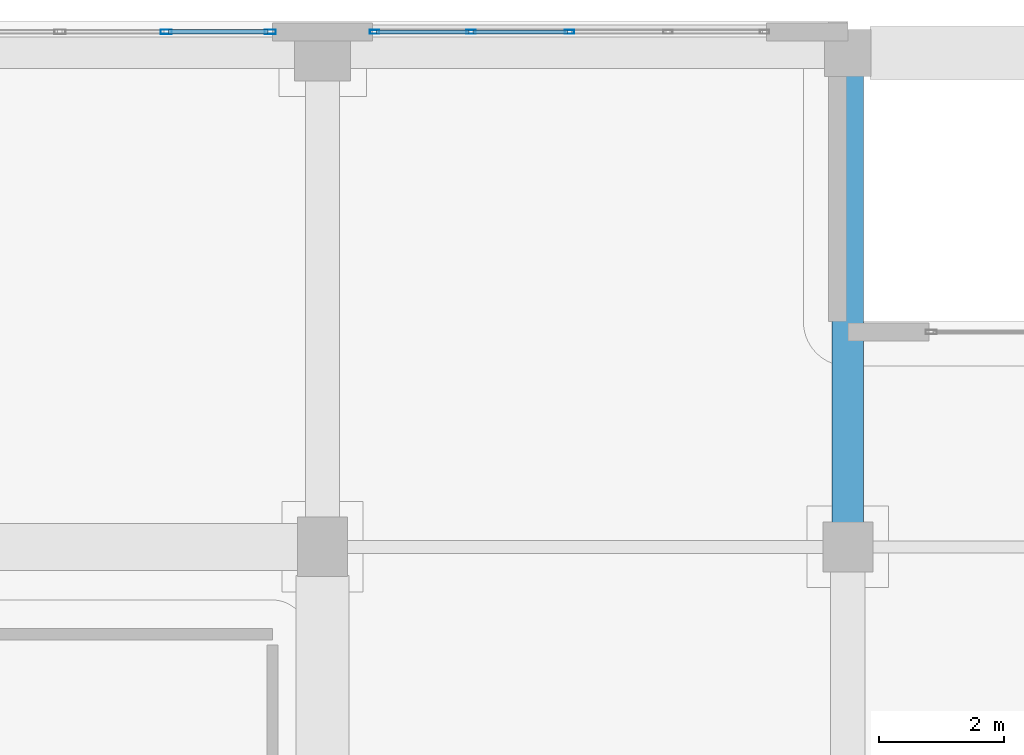
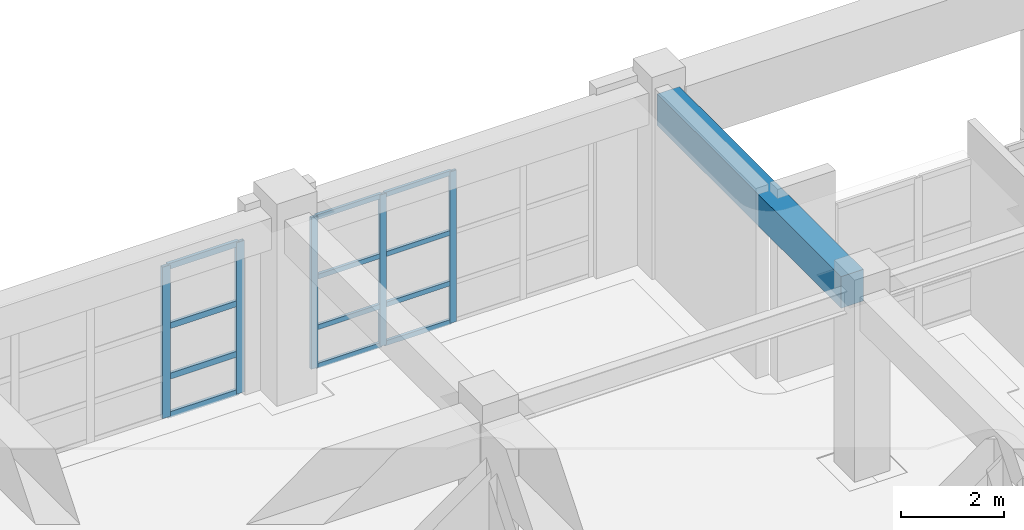
# One storey, part 65 of 123: 17 members, 1 beam, 2 elements without a shape of their own.
"""IFC4 building model written with IfcOpenShell, lengths in metres."""

from ifc_helpers import new_model, si_unit, direction, frame, origin, origin_2d, place, context, subcontext, project, spatial, rectangle, hollow_rectangle, extrude, material, layer, layer_set, material_profile, profile_set, type_object, element, aggregate, save


model = new_model("IFC4")

# Units and contexts
model_context = context("Model", 3, precision=1e-05, world=origin(), true_north=direction((0.0, 1.0)))
body_context = subcontext(model_context, "Body", "Model", "MODEL_VIEW")
ifc_project = project(units=[si_unit("LENGTHUNIT", "METRE"), si_unit("AREAUNIT", "SQUARE_METRE"), si_unit("VOLUMEUNIT", "CUBIC_METRE"), si_unit("PLANEANGLEUNIT", "RADIAN"), si_unit("MASSUNIT", "GRAM", prefix="KILO")], contexts=[model_context])

# Site, building, storey
site_placement = place(None, origin())
site = spatial("IfcSite", under=ifc_project, at=site_placement, CompositionType="ELEMENT")
building_placement = place(site_placement, origin())
building = spatial("IfcBuilding", under=site, at=building_placement, Name="Quendrovan Civic Courthouse", CompositionType="ELEMENT")
storey_placement = place(building_placement, frame((0.0, 0.0, 5.39990234375)))
storey = spatial("IfcBuildingStorey", under=building, at=storey_placement, Name="L02", CompositionType="ELEMENT", Elevation=5.39990234375)

# Beam
ifc_material_1 = material(Name="Concrete C40/50", Category="concrete")
ifc_material_profile_1 = material_profile(ifc_material_1, rectangle(XDim=0.5, YDim=0.75, at=origin_2d()), Name="RC-BM-500x750")
ifc_profile_set_1 = profile_set([ifc_material_profile_1], Name="Concrete C40/50")
beam_type = type_object("IfcBeamType", Name="BM-RC750", PredefinedType="SPANDREL", material=ifc_profile_set_1)
beam_placement = place(storey_placement, frame((92.39990234375, 102.3798828125, 3.985107421875), z_axis=(0.0, 1.0, 0.0), x_axis=(-1.0, 0.0, 0.0)))
element("IfcBeam", 1, at=beam_placement, inside=storey, type_object=beam_type, Name="L02 Girder Y0682", PredefinedType="SPANDREL", context=body_context, shape_type="SweptSolid", body=[
    extrude(rectangle(XDim=0.5, YDim=0.75, at=origin_2d()), origin(), (0.0, 0.0, 1.0), 7.1650390625),
])

# Curtain wall, members
ifc_material_2 = material(Name="Bronze anodised aluminium and low-E glass", Category="aluminium")
ifc_layer_1 = layer(ifc_material_2, 0.179931640625, Name="Bronze anodised aluminium and low-E glass")
ifc_layer_set_1 = layer_set([ifc_layer_1], Name="Bronze anodised aluminium and low-E glass")
curtain_wall_type_1 = type_object("IfcCurtainWallType", Name="CW-U68x36", PredefinedType="USERDEFINED", material=ifc_layer_set_1)
curtain_wall_1_placement = place(storey_placement, origin())
curtain_wall_1 = element("IfcCurtainWall", 2, at=curtain_wall_1_placement, inside=storey, type_object=curtain_wall_type_1, Name="L02 Unitised Hurricane Curtain Wall CW-086", ObjectType="UNITISED CURTAIN WALL", PredefinedType="USERDEFINED")
ifc_material_3 = material(Name="Bronze anodised aluminium", Category="aluminium")
ifc_material_profile_2 = material_profile(ifc_material_3, hollow_rectangle(XDim=0.070068359375, YDim=0.179931640625, WallThickness=0.00390625, at=origin_2d()), Name="CW-MULL-70x180")
ifc_profile_set_2 = profile_set([ifc_material_profile_2], Name="Bronze anodised aluminium")
member_type_1 = type_object("IfcMemberType", Name="CW-MULL-A", PredefinedType="MULLION", material=ifc_profile_set_2)
member_1_placement = place(storey_placement, frame((81.5, 110.235107421875, 0.0), z_axis=(0.0, 0.0, 1.0), x_axis=(0.0, 1.0, 0.0)))
member_1 = element("IfcMember", 3, at=member_1_placement, type_object=member_type_1, Name="CW-086 mullion 4", PredefinedType="MULLION", context=body_context, shape_type="SweptSolid", body=[
    extrude(hollow_rectangle(XDim=0.070068359375, YDim=0.179931640625, WallThickness=0.00390625, at=origin_2d()), origin(), (0.0, 0.0, 1.0), 3.60009765625),
])
member_2_placement = place(storey_placement, frame((83.1650390625, 110.235107421875, 0.0), z_axis=(0.0, 0.0, 1.0), x_axis=(0.0, 1.0, 0.0)))
member_2 = element("IfcMember", 4, at=member_2_placement, type_object=member_type_1, Name="CW-086 mullion 5", PredefinedType="MULLION", context=body_context, shape_type="SweptSolid", body=[
    extrude(hollow_rectangle(XDim=0.070068359375, YDim=0.179931640625, WallThickness=0.00390625, at=origin_2d()), origin(), (0.0, 0.0, 1.0), 3.60009765625),
])

ifc_layer_2 = layer(ifc_material_2, 0.179931640625, Name="Bronze anodised aluminium and low-E glass")
ifc_layer_set_2 = layer_set([ifc_layer_2], Name="Bronze anodised aluminium and low-E glass")
curtain_wall_type_2 = type_object("IfcCurtainWallType", Name="CW-U63x36", PredefinedType="USERDEFINED", material=ifc_layer_set_2)
curtain_wall_2_placement = place(storey_placement, origin())
curtain_wall_2 = element("IfcCurtainWall", 5, at=curtain_wall_2_placement, inside=storey, type_object=curtain_wall_type_2, Name="L02 Unitised Hurricane Curtain Wall CW-087", ObjectType="UNITISED CURTAIN WALL", PredefinedType="USERDEFINED")
ifc_material_profile_3 = material_profile(ifc_material_3, hollow_rectangle(XDim=0.06494140625, YDim=0.14990234375, WallThickness=0.00390625, at=origin_2d()), Name="CW-MULL-65x150")
ifc_profile_set_3 = profile_set([ifc_material_profile_3], Name="Bronze anodised aluminium")
member_type_2 = type_object("IfcMemberType", Name="CW-MULL-B", PredefinedType="MULLION", material=ifc_profile_set_3)
member_3_placement = place(storey_placement, frame((84.83251953125, 110.235107421875, 0.0), z_axis=(0.0, 0.0, 1.0), x_axis=(0.0, 1.0, 0.0)))
member_3 = element("IfcMember", 6, at=member_3_placement, type_object=member_type_2, Name="CW-087 mullion 1", PredefinedType="MULLION", context=body_context, shape_type="SweptSolid", body=[
    extrude(hollow_rectangle(XDim=0.06494140625, YDim=0.14990234375, WallThickness=0.00390625, at=origin_2d()), origin(), (0.0, 0.0, 1.0), 3.60009765625),
])
member_4_placement = place(storey_placement, frame((86.375, 110.235107421875, 0.0), z_axis=(0.0, 0.0, 1.0), x_axis=(0.0, 1.0, 0.0)))
member_4 = element("IfcMember", 7, at=member_4_placement, type_object=member_type_2, Name="CW-087 mullion 2", PredefinedType="MULLION", context=body_context, shape_type="SweptSolid", body=[
    extrude(hollow_rectangle(XDim=0.06494140625, YDim=0.14990234375, WallThickness=0.00390625, at=origin_2d()), origin(), (0.0, 0.0, 1.0), 3.60009765625),
])
member_5_placement = place(storey_placement, frame((87.949951171875, 110.235107421875, 0.0), z_axis=(0.0, 0.0, 1.0), x_axis=(0.0, 1.0, 0.0)))
member_5 = element("IfcMember", 8, at=member_5_placement, type_object=member_type_2, Name="CW-087 mullion 3", PredefinedType="MULLION", context=body_context, shape_type="SweptSolid", body=[
    extrude(hollow_rectangle(XDim=0.06494140625, YDim=0.14990234375, WallThickness=0.00390625, at=origin_2d()), origin(), (0.0, 0.0, 1.0), 3.60009765625),
])

# Member
ifc_material_profile_4 = material_profile(ifc_material_3, hollow_rectangle(XDim=0.070068359375, YDim=0.139892578125, WallThickness=0.00390625, at=origin_2d()), Name="CW-TRAN-70x140")
ifc_profile_set_4 = profile_set([ifc_material_profile_4], Name="Bronze anodised aluminium")
member_type_3 = type_object("IfcMemberType", Name="CW-TRAN-A", PredefinedType="USERDEFINED", material=ifc_profile_set_4)
member_6_placement = place(storey_placement, frame((81.534912109375, 110.235107421875, 0.03515625), z_axis=(1.0, 0.0, 0.0), x_axis=(0.0, 1.0, 0.0)))
member_6 = element("IfcMember", 9, at=member_6_placement, type_object=member_type_3, Name="CW-086 transom 4.1", ObjectType="TRANSOM", PredefinedType="USERDEFINED", context=body_context, shape_type="SweptSolid", body=[
    extrude(hollow_rectangle(XDim=0.070068359375, YDim=0.139892578125, WallThickness=0.00390625, at=origin_2d()), origin(), (0.0, 0.0, 1.0), 1.594970703125),
])

member_7_placement = place(storey_placement, frame((81.534912109375, 110.235107421875, 0.9501953125), z_axis=(1.0, 0.0, 0.0), x_axis=(0.0, 1.0, 0.0)))
member_7 = element("IfcMember", 10, at=member_7_placement, type_object=member_type_3, Name="CW-086 transom 4.2", ObjectType="TRANSOM", PredefinedType="USERDEFINED", context=body_context, shape_type="SweptSolid", body=[
    extrude(hollow_rectangle(XDim=0.070068359375, YDim=0.139892578125, WallThickness=0.00390625, at=origin_2d()), origin(), (0.0, 0.0, 1.0), 1.594970703125),
])

member_8_placement = place(storey_placement, frame((81.534912109375, 110.235107421875, 2.150146484375), z_axis=(1.0, 0.0, 0.0), x_axis=(0.0, 1.0, 0.0)))
member_8 = element("IfcMember", 11, at=member_8_placement, type_object=member_type_3, Name="CW-086 transom 4.3", ObjectType="TRANSOM", PredefinedType="USERDEFINED", context=body_context, shape_type="SweptSolid", body=[
    extrude(hollow_rectangle(XDim=0.070068359375, YDim=0.139892578125, WallThickness=0.00390625, at=origin_2d()), origin(), (0.0, 0.0, 1.0), 1.594970703125),
])

member_9_placement = place(storey_placement, frame((81.534912109375, 110.235107421875, 3.565185546875), z_axis=(1.0, 0.0, 0.0), x_axis=(0.0, 1.0, 0.0)))
member_9 = element("IfcMember", 12, at=member_9_placement, type_object=member_type_3, Name="CW-086 transom 4.4", ObjectType="TRANSOM", PredefinedType="USERDEFINED", context=body_context, shape_type="SweptSolid", body=[
    extrude(hollow_rectangle(XDim=0.070068359375, YDim=0.139892578125, WallThickness=0.00390625, at=origin_2d()), origin(), (0.0, 0.0, 1.0), 1.594970703125),
])

aggregate(curtain_wall_1, [member_1, member_2, member_6, member_7, member_8, member_9])

ifc_material_profile_5 = material_profile(ifc_material_3, hollow_rectangle(XDim=0.06494140625, YDim=0.114990234375, WallThickness=0.00390625, at=origin_2d()), Name="CW-TRAN-65x115")
ifc_profile_set_5 = profile_set([ifc_material_profile_5], Name="Bronze anodised aluminium")
member_type_4 = type_object("IfcMemberType", Name="CW-TRAN-B", PredefinedType="USERDEFINED", material=ifc_profile_set_5)
member_10_placement = place(storey_placement, frame((84.864990234375, 110.235107421875, 0.03271484375), z_axis=(1.0, 0.0, 0.0), x_axis=(0.0, 1.0, 0.0)))
member_10 = element("IfcMember", 13, at=member_10_placement, type_object=member_type_4, Name="CW-087 transom 1.1", ObjectType="TRANSOM", PredefinedType="USERDEFINED", context=body_context, shape_type="SweptSolid", body=[
    extrude(hollow_rectangle(XDim=0.06494140625, YDim=0.114990234375, WallThickness=0.00390625, at=origin_2d()), origin(), (0.0, 0.0, 1.0), 1.4775390625),
])

member_11_placement = place(storey_placement, frame((84.864990234375, 110.235107421875, 0.9501953125), z_axis=(1.0, 0.0, 0.0), x_axis=(0.0, 1.0, 0.0)))
member_11 = element("IfcMember", 14, at=member_11_placement, type_object=member_type_4, Name="CW-087 transom 1.2", ObjectType="TRANSOM", PredefinedType="USERDEFINED", context=body_context, shape_type="SweptSolid", body=[
    extrude(hollow_rectangle(XDim=0.06494140625, YDim=0.114990234375, WallThickness=0.00390625, at=origin_2d()), origin(), (0.0, 0.0, 1.0), 1.4775390625),
])

member_12_placement = place(storey_placement, frame((84.864990234375, 110.235107421875, 2.150146484375), z_axis=(1.0, 0.0, 0.0), x_axis=(0.0, 1.0, 0.0)))
member_12 = element("IfcMember", 15, at=member_12_placement, type_object=member_type_4, Name="CW-087 transom 1.3", ObjectType="TRANSOM", PredefinedType="USERDEFINED", context=body_context, shape_type="SweptSolid", body=[
    extrude(hollow_rectangle(XDim=0.06494140625, YDim=0.114990234375, WallThickness=0.00390625, at=origin_2d()), origin(), (0.0, 0.0, 1.0), 1.4775390625),
])

member_13_placement = place(storey_placement, frame((84.864990234375, 110.235107421875, 3.567626953125), z_axis=(1.0, 0.0, 0.0), x_axis=(0.0, 1.0, 0.0)))
member_13 = element("IfcMember", 16, at=member_13_placement, type_object=member_type_4, Name="CW-087 transom 1.4", ObjectType="TRANSOM", PredefinedType="USERDEFINED", context=body_context, shape_type="SweptSolid", body=[
    extrude(hollow_rectangle(XDim=0.06494140625, YDim=0.114990234375, WallThickness=0.00390625, at=origin_2d()), origin(), (0.0, 0.0, 1.0), 1.4775390625),
])

member_14_placement = place(storey_placement, frame((86.407470703125, 110.235107421875, 0.03271484375), z_axis=(1.0, 0.0, 0.0), x_axis=(0.0, 1.0, 0.0)))
member_14 = element("IfcMember", 17, at=member_14_placement, type_object=member_type_4, Name="CW-087 transom 2.1", ObjectType="TRANSOM", PredefinedType="USERDEFINED", context=body_context, shape_type="SweptSolid", body=[
    extrude(hollow_rectangle(XDim=0.06494140625, YDim=0.114990234375, WallThickness=0.00390625, at=origin_2d()), origin(), (0.0, 0.0, 1.0), 1.510009765625),
])

member_15_placement = place(storey_placement, frame((86.407470703125, 110.235107421875, 0.9501953125), z_axis=(1.0, 0.0, 0.0), x_axis=(0.0, 1.0, 0.0)))
member_15 = element("IfcMember", 18, at=member_15_placement, type_object=member_type_4, Name="CW-087 transom 2.2", ObjectType="TRANSOM", PredefinedType="USERDEFINED", context=body_context, shape_type="SweptSolid", body=[
    extrude(hollow_rectangle(XDim=0.06494140625, YDim=0.114990234375, WallThickness=0.00390625, at=origin_2d()), origin(), (0.0, 0.0, 1.0), 1.510009765625),
])

member_16_placement = place(storey_placement, frame((86.407470703125, 110.235107421875, 2.150146484375), z_axis=(1.0, 0.0, 0.0), x_axis=(0.0, 1.0, 0.0)))
member_16 = element("IfcMember", 19, at=member_16_placement, type_object=member_type_4, Name="CW-087 transom 2.3", ObjectType="TRANSOM", PredefinedType="USERDEFINED", context=body_context, shape_type="SweptSolid", body=[
    extrude(hollow_rectangle(XDim=0.06494140625, YDim=0.114990234375, WallThickness=0.00390625, at=origin_2d()), origin(), (0.0, 0.0, 1.0), 1.510009765625),
])

member_17_placement = place(storey_placement, frame((86.407470703125, 110.235107421875, 3.567626953125), z_axis=(1.0, 0.0, 0.0), x_axis=(0.0, 1.0, 0.0)))
member_17 = element("IfcMember", 20, at=member_17_placement, type_object=member_type_4, Name="CW-087 transom 2.4", ObjectType="TRANSOM", PredefinedType="USERDEFINED", context=body_context, shape_type="SweptSolid", body=[
    extrude(hollow_rectangle(XDim=0.06494140625, YDim=0.114990234375, WallThickness=0.00390625, at=origin_2d()), origin(), (0.0, 0.0, 1.0), 1.510009765625),
])

aggregate(curtain_wall_2, [member_3, member_4, member_5, member_10, member_11, member_12, member_13, member_14, member_15, member_16, member_17])

save(model, "model.ifc")
